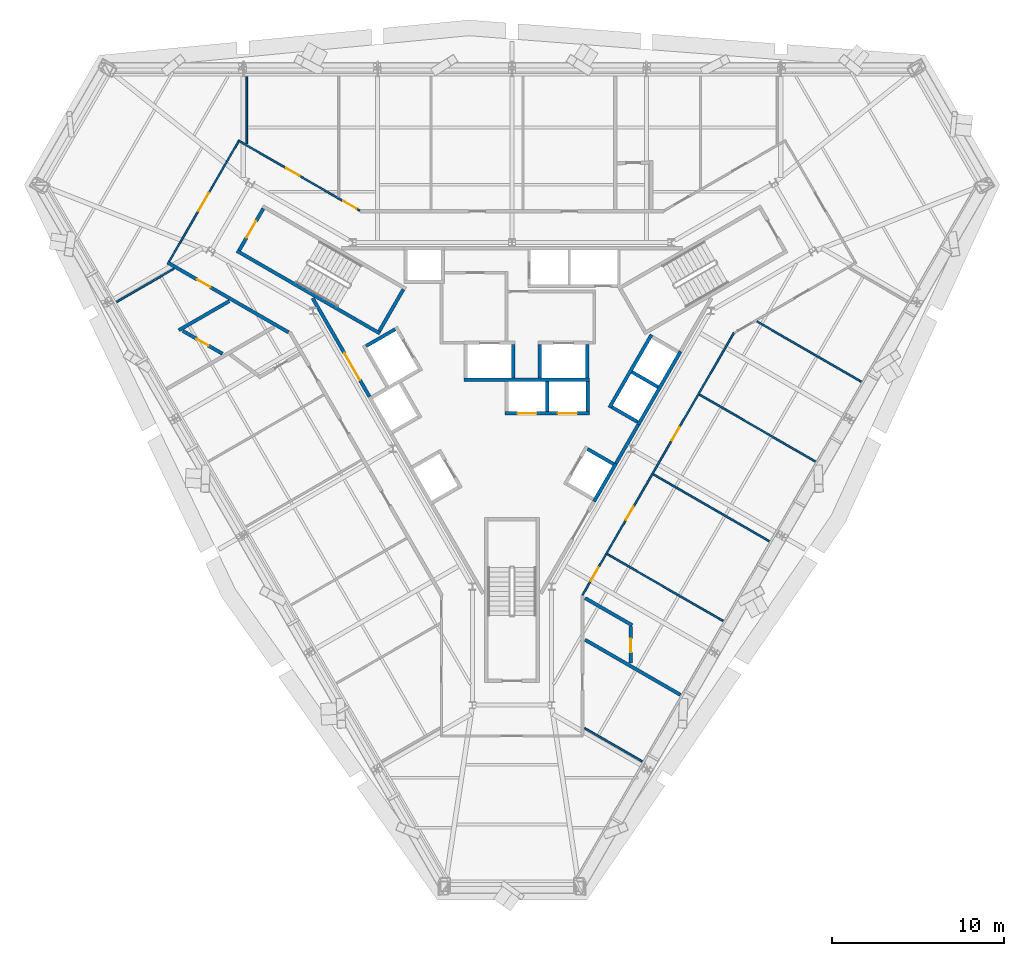
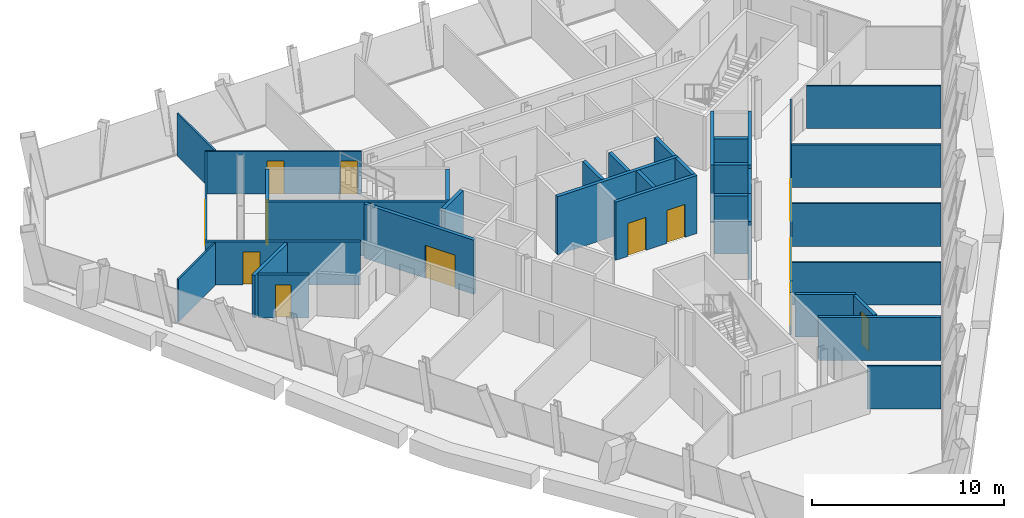
# One storey, part 8 of 12: 35 walls, 13 doors, 13 openings.
"""IFC4 building model written with IfcOpenShell, lengths in metres."""

from ifc_helpers import new_model, si_unit, direction, frame, frame_2d, origin, place, context, subcontext, project, spatial, rectangle, extrude, material, layer, layer_set, type_object, element, fill, save


model = new_model("IFC4")

# Units and contexts
model_context = context("Model", 3, precision=1e-05, world=origin(), true_north=direction((0.0, 1.0)))
body_context = subcontext(model_context, "Body", "Model", "MODEL_VIEW")
ifc_project = project(units=[si_unit("LENGTHUNIT", "METRE"), si_unit("AREAUNIT", "SQUARE_METRE"), si_unit("VOLUMEUNIT", "CUBIC_METRE"), si_unit("PLANEANGLEUNIT", "RADIAN"), si_unit("MASSUNIT", "GRAM", prefix="KILO")], contexts=[model_context])

# Site, building, storey
site_placement = place(None, origin())
site = spatial("IfcSite", under=ifc_project, at=site_placement, CompositionType="ELEMENT")
building_placement = place(site_placement, origin())
building = spatial("IfcBuilding", under=site, at=building_placement, Name="Verrane Prism Tower", CompositionType="ELEMENT")
storey_placement = place(building_placement, frame((0.0, 0.0, 185.800048828125)))
storey = spatial("IfcBuildingStorey", under=building, at=storey_placement, Name="L46", CompositionType="ELEMENT", Elevation=185.800048828125)

# Wall, opening, door
ifc_material_1 = material(Name="Gypsum board partition", Category="other")
ifc_layer_1 = layer(ifc_material_1, 0.199951171875)
ifc_layer_set_1 = layer_set([ifc_layer_1], Name="CW-200 core boundary wall 2 h")
wall_type_1 = type_object("IfcWallType", Name="CW-200 core boundary wall 2 h", PredefinedType="PARTITIONING", material=ifc_layer_set_1)
wall_1_placement = place(storey_placement, frame((-11.590576171875, 4.7548828125, 0.0), z_axis=(0.0, 0.0, 1.0), x_axis=(0.500043977787, -0.866000011708, 0.0)))
wall_1 = element("IfcWall", 1, at=wall_1_placement, inside=storey, type_object=wall_type_1, Name="Core boundary wall CW3-001", PredefinedType="PARTITIONING", context=body_context, shape_type="SweptSolid", body=[
    extrude(rectangle(XDim=6.61669921875, YDim=0.199951171875, at=frame_2d((3.308349609375, 0.0))), origin(), (0.0, 0.0, 1.0), 3.449951171875),
])
opening_1_placement = place(wall_1_placement, frame((3.695068359375, 0.0, 0.0)))
opening_1 = element("IfcOpeningElement", 2, at=opening_1_placement, cuts=wall_1, Name="Opening D44510", PredefinedType="OPENING", context=body_context, shape_type="SweptSolid", body=[
    extrude(rectangle(XDim=1.800048828125, YDim=2.10009765625, at=frame_2d((0.89990234375, 1.050048828125))), frame((0.0, 0.10986328125, 0.0), z_axis=(0.0, -1.0, 0.0), x_axis=(1.0, 0.0, 0.0)), (0.0, 0.0, 1.0), 0.219970703125),
])
ifc_material_2 = material(Name="Timber veneered door leaf", Category="wood")
door_type_1 = type_object("IfcDoorType", Name="DR-1800x2100 FD60 double leaf lift lobby", OperationType="NOTDEFINED", PredefinedType="DOOR", material=ifc_material_2)
door_1_placement = place(opening_1_placement, origin())
door_1 = element("IfcDoor", 3, at=door_1_placement, inside=storey, type_object=door_type_1, Name="Lift lobby door D44510", OperationType="DOUBLE_DOOR_SINGLE_SWING", OverallHeight=2.10009765625, OverallWidth=1.800048828125, PredefinedType="DOOR", context=body_context, shape_type="SweptSolid", body=[
    extrude(rectangle(XDim=1.800048828125, YDim=2.10009765625, at=frame_2d((0.89990234375, 1.050048828125))), frame((0.0, 0.02490234375, 0.0), z_axis=(0.0, -1.0, 0.0), x_axis=(1.0, 0.0, 0.0)), (0.0, 0.0, 1.0), 0.050048828125),
])
fill(opening_1, door_1)

# Wall
wall_2_placement = place(storey_placement, frame((6.0419921875, -4.85498046875, 0.0), z_axis=(0.0, 0.0, 1.0), x_axis=(0.500252727967, 0.865879442048, 0.0)))
element("IfcWall", 4, at=wall_2_placement, inside=storey, type_object=wall_type_1, Name="Core boundary wall CW3-007", PredefinedType="PARTITIONING", context=body_context, shape_type="SweptSolid", body=[
    extrude(rectangle(XDim=2.616943359375, YDim=0.199951171875, at=frame_2d((1.30859375, 0.0))), origin(), (0.0, 0.0, 1.0), 3.449951171875),
])

# Wall, opening, door
ifc_material_3 = material(Name="Concrete C40/50", Category="concrete")
ifc_layer_2 = layer(ifc_material_3, 0.199951171875)
ifc_layer_set_2 = layer_set([ifc_layer_2], Name="CW-200 stair core wall concrete C40/50 3 h")
wall_type_2 = type_object("IfcWallType", Name="CW-200 stair core wall concrete C40/50 3 h", PredefinedType="PARTITIONING", material=ifc_layer_set_2)
wall_3_placement = place(storey_placement, frame((-14.455322265625, 9.96240234375, 0.0), z_axis=(0.0, 0.0, 1.0), x_axis=(-0.500049511043, -0.865996816683, 0.0)))
wall_3 = element("IfcWall", 5, at=wall_3_placement, inside=storey, type_object=wall_type_2, Name="Stair 2 enclosure wall", PredefinedType="PARTITIONING", context=body_context, shape_type="SweptSolid", body=[
    extrude(rectangle(XDim=2.800048828125, YDim=0.199951171875, at=frame_2d((1.39990234375, 0.0))), origin(), (0.0, 0.0, 1.0), 3.449951171875),
])
opening_2_placement = place(wall_3_placement, frame((0.849853515625, 0.0, 0.0)))
opening_2 = element("IfcOpeningElement", 6, at=opening_2_placement, cuts=wall_3, Name="Opening D44501", PredefinedType="OPENING", context=body_context, shape_type="SweptSolid", body=[
    extrude(rectangle(XDim=1.10009765625, YDim=2.10009765625, at=frame_2d((0.550048828125, 1.050048828125))), frame((0.0, 0.10986328125, 0.0), z_axis=(0.0, -1.0, 0.0), x_axis=(1.0, 0.0, 0.0)), (0.0, 0.0, 1.0), 0.219970703125),
])
ifc_material_4 = material(Name="Timber veneered door leaf", Category="wood")
door_type_2 = type_object("IfcDoorType", Name="DR-1100x2100 FD90 single leaf stair", OperationType="NOTDEFINED", PredefinedType="DOOR", material=ifc_material_4)
door_2_placement = place(opening_2_placement, origin())
door_2 = element("IfcDoor", 7, at=door_2_placement, inside=storey, type_object=door_type_2, Name="Stair 2 door", OperationType="SINGLE_SWING_RIGHT", OverallHeight=2.10009765625, OverallWidth=1.10009765625, PredefinedType="DOOR", context=body_context, shape_type="SweptSolid", body=[
    extrude(rectangle(XDim=1.10009765625, YDim=2.10009765625, at=frame_2d((0.550048828125, 1.050048828125))), frame((0.0, 0.02490234375, 0.0), z_axis=(0.0, -1.0, 0.0), x_axis=(1.0, 0.0, 0.0)), (0.0, 0.0, 1.0), 0.050048828125),
])
fill(opening_2, door_2)

# Walls
wall_4_placement = place(storey_placement, frame((-7.67822265625, 2.700927734375, 0.0), z_axis=(0.0, 0.0, 1.0), x_axis=(-0.866019993635, 0.500009370536, 0.0)))
element("IfcWall", 8, at=wall_4_placement, inside=storey, type_object=wall_type_2, Name="Stair 2 enclosure wall", PredefinedType="PARTITIONING", context=body_context, shape_type="SweptSolid", body=[
    extrude(rectangle(XDim=9.599853515625, YDim=0.199951171875, at=frame_2d((4.7998046875, 0.0))), origin(), (0.0, 0.0, 1.0), 3.449951171875),
])
wall_5_placement = place(storey_placement, frame((-6.314697265625, 5.262451171875, 0.0), z_axis=(0.0, 0.0, 1.0), x_axis=(-0.500049511043, -0.865996816683, 0.0)))
element("IfcWall", 9, at=wall_5_placement, inside=storey, type_object=wall_type_2, Name="Stair 2 enclosure wall", PredefinedType="PARTITIONING", context=body_context, shape_type="SweptSolid", body=[
    extrude(rectangle(XDim=2.800048828125, YDim=0.199951171875, at=frame_2d((1.39990234375, 0.0))), origin(), (0.0, 0.0, 1.0), 3.449951171875),
])

# Wall, openings, doors
ifc_material_5 = material(Name="Gypsum board shaft wall assembly", Category="other")
ifc_layer_3 = layer(ifc_material_5, 0.199951171875)
ifc_layer_set_3 = layer_set([ifc_layer_3], Name="HW-200 lift shaft wall 2 h")
wall_type_3 = type_object("IfcWallType", Name="HW-200 lift shaft wall 2 h", PredefinedType="PARTITIONING", material=ifc_layer_set_3)
wall_6_placement = place(storey_placement, frame((-0.405029296875, -1.949951171875, 0.0), z_axis=(0.0, 0.0, 1.0), x_axis=(1.0, 0.0, 0.0)))
wall_6 = element("IfcWall", 10, at=wall_6_placement, inside=storey, type_object=wall_type_3, Name="Lift shaft wall", PredefinedType="PARTITIONING", context=body_context, shape_type="SweptSolid", body=[
    extrude(rectangle(XDim=4.900146484375, YDim=0.199951171875, at=frame_2d((2.4501953125, 0.0))), origin(), (0.0, 0.0, 1.0), 3.699951171875),
])
opening_3_placement = place(wall_6_placement, frame((0.72509765625, 0.0, 0.0)))
opening_3 = element("IfcOpeningElement", 11, at=opening_3_placement, cuts=wall_6, Name="Opening D44503", PredefinedType="OPENING", context=body_context, shape_type="SweptSolid", body=[
    extrude(rectangle(XDim=1.10009765625, YDim=2.10009765625, at=frame_2d((0.550048828125, 1.050048828125))), frame((0.0, 0.10986328125, 0.0), z_axis=(0.0, -1.0, 0.0), x_axis=(1.0, 0.0, 0.0)), (0.0, 0.0, 1.0), 0.219970703125),
])
opening_4_placement = place(wall_6_placement, frame((3.074951171875, 0.0, 0.0)))
opening_4 = element("IfcOpeningElement", 12, at=opening_4_placement, cuts=wall_6, Name="Opening D44504", PredefinedType="OPENING", context=body_context, shape_type="SweptSolid", body=[
    extrude(rectangle(XDim=1.10009765625, YDim=2.10009765625, at=frame_2d((0.550048828125, 1.050048828125))), frame((0.0, 0.10986328125, 0.0), z_axis=(0.0, -1.0, 0.0), x_axis=(1.0, 0.0, 0.0)), (0.0, 0.0, 1.0), 0.219970703125),
])
ifc_material_6 = material(Name="Stainless steel sliding landing door", Category="steel")
door_type_3 = type_object("IfcDoorType", Name="LD-1100x2100 lift landing door FD90 sliding", OperationType="NOTDEFINED", PredefinedType="DOOR", material=ifc_material_6)
door_3_placement = place(opening_3_placement, origin())
door_3 = element("IfcDoor", 13, at=door_3_placement, inside=storey, type_object=door_type_3, Name="Bank B lift 1 landing door", OperationType="SLIDING_TO_LEFT", OverallHeight=2.10009765625, OverallWidth=1.10009765625, PredefinedType="DOOR", context=body_context, shape_type="SweptSolid", body=[
    extrude(rectangle(XDim=1.10009765625, YDim=2.10009765625, at=frame_2d((0.550048828125, 1.050048828125))), frame((0.0, 0.02490234375, 0.0), z_axis=(0.0, -1.0, 0.0), x_axis=(1.0, 0.0, 0.0)), (0.0, 0.0, 1.0), 0.050048828125),
])
fill(opening_3, door_3)
door_4_placement = place(opening_4_placement, origin())
door_4 = element("IfcDoor", 14, at=door_4_placement, inside=storey, type_object=door_type_3, Name="Bank B lift 2 landing door", OperationType="SLIDING_TO_RIGHT", OverallHeight=2.10009765625, OverallWidth=1.10009765625, PredefinedType="DOOR", context=body_context, shape_type="SweptSolid", body=[
    extrude(rectangle(XDim=1.10009765625, YDim=2.10009765625, at=frame_2d((0.550048828125, 1.050048828125))), frame((0.0, 0.02490234375, 0.0), z_axis=(0.0, -1.0, 0.0), x_axis=(1.0, 0.0, 0.0)), (0.0, 0.0, 1.0), 0.050048828125),
])
fill(opening_4, door_4)

# Walls
wall_7_placement = place(storey_placement, frame((-2.784912109375, 0.0, 0.0), z_axis=(0.0, 0.0, 1.0), x_axis=(1.0, 0.0, 0.0)))
element("IfcWall", 15, at=wall_7_placement, inside=storey, type_object=wall_type_3, Name="Lift shaft wall", PredefinedType="PARTITIONING", context=body_context, shape_type="SweptSolid", body=[
    extrude(rectangle(XDim=7.280029296875, YDim=0.199951171875, at=frame_2d((3.64013671875, 0.0))), origin(), (0.0, 0.0, 1.0), 3.699951171875),
])
wall_8_placement = place(storey_placement, frame((-8.48046875, 1.968505859375, 0.0), z_axis=(0.0, 0.0, 1.0), x_axis=(0.866000020948, 0.500043961785, 0.0)))
element("IfcWall", 16, at=wall_8_placement, inside=storey, type_object=wall_type_3, Name="Lift shaft wall", PredefinedType="PARTITIONING", context=body_context, shape_type="SweptSolid", body=[
    extrude(rectangle(XDim=1.949951171875, YDim=0.199951171875, at=frame_2d((0.97509765625, 0.0))), origin(), (0.0, 0.0, 1.0), 3.699951171875),
])
wall_9_placement = place(storey_placement, frame((4.766357421875, -7.064697265625, 0.0), z_axis=(0.0, 0.0, 1.0), x_axis=(0.499948979701, 0.866054858364, 0.0)))
element("IfcWall", 17, at=wall_9_placement, inside=storey, type_object=wall_type_3, Name="Lift shaft wall", PredefinedType="PARTITIONING", context=body_context, shape_type="SweptSolid", body=[
    extrude(rectangle(XDim=2.550048828125, YDim=0.199951171875, at=frame_2d((1.27490234375, 0.0))), origin(), (0.0, 0.0, 1.0), 3.699951171875),
])
wall_10_placement = place(storey_placement, frame((7.351318359375, -2.587158203125, 0.0), z_axis=(0.0, 0.0, 1.0), x_axis=(0.500002801628, 0.866023786258, 0.0)))
element("IfcWall", 18, at=wall_10_placement, inside=storey, type_object=wall_type_3, Name="Lift shaft wall", PredefinedType="PARTITIONING", context=body_context, shape_type="SweptSolid", body=[
    extrude(rectangle(XDim=4.89990234375, YDim=0.199951171875, at=frame_2d((2.449951171875, 0.0))), origin(), (0.0, 0.0, 1.0), 3.699951171875),
])
wall_11_placement = place(storey_placement, frame((5.66259765625, -1.6123046875, 0.0), z_axis=(0.0, 0.0, 1.0), x_axis=(0.49998122708, 0.866036242063, 0.0)))
element("IfcWall", 19, at=wall_11_placement, inside=storey, type_object=wall_type_3, Name="Lift shaft wall", PredefinedType="PARTITIONING", context=body_context, shape_type="SweptSolid", body=[
    extrude(rectangle(XDim=4.900146484375, YDim=0.199951171875, at=frame_2d((2.4501953125, 0.0))), origin(), (0.0, 0.0, 1.0), 3.699951171875),
])
wall_12_placement = place(storey_placement, frame((4.39501953125, -1.85009765625, 0.0), z_axis=(0.0, 0.0, 1.0), x_axis=(0.0, 1.0, 0.0)))
element("IfcWall", 20, at=wall_12_placement, inside=storey, type_object=wall_type_3, Name="Lift shaft wall", PredefinedType="PARTITIONING", context=body_context, shape_type="SweptSolid", body=[
    extrude(rectangle(XDim=1.75, YDim=0.199951171875, at=frame_2d((0.875, 0.0))), origin(), (0.0, 0.0, 1.0), 3.699951171875),
])
wall_13_placement = place(storey_placement, frame((4.375, 0.10009765625, 0.0), z_axis=(0.0, 0.0, 1.0), x_axis=(0.0, 1.0, 0.0)))
element("IfcWall", 21, at=wall_13_placement, inside=storey, type_object=wall_type_3, Name="Lift shaft wall", PredefinedType="PARTITIONING", context=body_context, shape_type="SweptSolid", body=[
    extrude(rectangle(XDim=1.949951171875, YDim=0.199951171875, at=frame_2d((0.97509765625, 0.0))), origin(), (0.0, 0.0, 1.0), 3.699951171875),
])
wall_14_placement = place(storey_placement, frame((2.044921875, -1.85009765625, 0.0), z_axis=(0.0, 0.0, 1.0), x_axis=(0.0, 1.0, 0.0)))
element("IfcWall", 22, at=wall_14_placement, inside=storey, type_object=wall_type_3, Name="Lift shaft wall", PredefinedType="PARTITIONING", context=body_context, shape_type="SweptSolid", body=[
    extrude(rectangle(XDim=1.75, YDim=0.199951171875, at=frame_2d((0.875, 0.0))), origin(), (0.0, 0.0, 1.0), 3.699951171875),
])
for number, where, z_axis, x_axis, name in (
    (23, (1.625, 0.10009765625, 0.0), (0.0, 0.0, 1.0), (0.0, 1.0, 0.0), "Lift shaft wall"),
    (24, (0.06494140625, 0.10009765625, 0.0), (0.0, 0.0, 1.0), (0.0, 1.0, 0.0), "Lift shaft wall"),
):
    element("IfcWall", number, at=place(storey_placement, frame(where, z_axis=z_axis, x_axis=x_axis)), inside=storey, type_object=wall_type_3, Name=name, PredefinedType="PARTITIONING", context=body_context, shape_type="SweptSolid", body=[
        extrude(rectangle(XDim=1.949951171875, YDim=0.199951171875, at=frame_2d((0.97509765625, 0.0))), origin(), (0.0, 0.0, 1.0), 3.699951171875),
    ])
for number, where, z_axis, x_axis, name in (
    (25, (8.48974609375, -0.41552734375, 0.0), (0.0, 0.0, 1.0), (-0.866036909293, 0.499980071345, 0.0), "Lift shaft wall"),
    (26, (7.314697265625, -2.45068359375, 0.0), (0.0, 0.0, 1.0), (-0.866036909293, 0.499980071345, 0.0), "Lift shaft wall"),
):
    element("IfcWall", number, at=place(storey_placement, frame(where, z_axis=z_axis, x_axis=x_axis)), inside=storey, type_object=wall_type_3, Name=name, PredefinedType="PARTITIONING", context=body_context, shape_type="SweptSolid", body=[
        extrude(rectangle(XDim=1.75, YDim=0.199951171875, at=frame_2d((0.875, 0.0))), origin(), (0.0, 0.0, 1.0), 3.699951171875),
    ])
wall_15_placement = place(storey_placement, frame((5.904541015625, -4.892822265625, 0.0), z_axis=(0.0, 0.0, 1.0), x_axis=(-0.866002029911, 0.500040482552, 0.0)))
element("IfcWall", 27, at=wall_15_placement, inside=storey, type_object=wall_type_3, Name="Lift shaft wall", PredefinedType="PARTITIONING", context=body_context, shape_type="SweptSolid", body=[
    extrude(rectangle(XDim=1.749755859375, YDim=0.199951171875, at=frame_2d((0.875, 0.0))), origin(), (0.0, 0.0, 1.0), 3.699951171875),
])
ifc_material_7 = material(Name="Gypsum board partition", Category="other")
ifc_layer_4 = layer(ifc_material_7, 0.10009765625)
ifc_layer_set_4 = layer_set([ifc_layer_4], Name="PW-100 room partition")
wall_type_4 = type_object("IfcWallType", Name="PW-100 room partition", PredefinedType="PARTITIONING", material=ifc_layer_set_4)
wall_16_placement = place(storey_placement, frame((-22.982666015625, 4.5380859375, 0.0), z_axis=(0.0, 0.0, 1.0), x_axis=(0.865988254995, 0.500064338071, 0.0)))
element("IfcWall", 28, at=wall_16_placement, inside=storey, type_object=wall_type_4, Name="Room partition 001", PredefinedType="PARTITIONING", context=body_context, shape_type="SweptSolid", body=[
    extrude(rectangle(XDim=3.85302734375, YDim=0.10009765625, at=frame_2d((1.926513671875, 0.0))), origin(), (0.0, 0.0, 1.0), 2.712890625),
])

# Wall, opening, door
wall_17_placement = place(storey_placement, frame((-19.929931640625, 6.8876953125, 0.0), z_axis=(0.0, 0.0, 1.0), x_axis=(0.500413056211, 0.865786794294, 0.0)))
wall_17 = element("IfcWall", 29, at=wall_17_placement, inside=storey, type_object=wall_type_4, Name="Room partition 003", PredefinedType="PARTITIONING", context=body_context, shape_type="SweptSolid", body=[
    extrude(rectangle(XDim=8.047119140625, YDim=0.10009765625, at=frame_2d((4.0234375, 0.0))), origin(), (0.0, 0.0, 1.0), 2.712890625),
])
opening_5_placement = place(wall_17_placement, frame((3.39990234375, 0.0, 0.0)))
opening_5 = element("IfcOpeningElement", 30, at=opening_5_placement, cuts=wall_17, Name="Opening D44016", PredefinedType="OPENING", context=body_context, shape_type="SweptSolid", body=[
    extrude(rectangle(XDim=1.199951171875, YDim=2.10009765625, at=frame_2d((0.60009765625, 1.050048828125))), frame((0.0, 0.06005859375, 0.0), z_axis=(0.0, -1.0, 0.0), x_axis=(1.0, 0.0, 0.0)), (0.0, 0.0, 1.0), 0.1201171875),
])
ifc_material_8 = material(Name="Timber veneered door leaf", Category="wood")
door_type_4 = type_object("IfcDoorType", Name="DR-1200x2100 single leaf unit", OperationType="NOTDEFINED", PredefinedType="DOOR", material=ifc_material_8)
door_5_placement = place(opening_5_placement, origin())
door_5 = element("IfcDoor", 31, at=door_5_placement, inside=storey, type_object=door_type_4, Name="Living And Dining Room door", OperationType="SINGLE_SWING_RIGHT", OverallHeight=2.10009765625, OverallWidth=1.199951171875, PredefinedType="DOOR", context=body_context, shape_type="SweptSolid", body=[
    extrude(rectangle(XDim=1.199951171875, YDim=2.10009765625, at=frame_2d((0.60009765625, 1.050048828125))), frame((0.0, 0.02490234375, 0.0), z_axis=(0.0, -1.0, 0.0), x_axis=(1.0, 0.0, 0.0)), (0.0, 0.0, 1.0), 0.050048828125),
])
fill(opening_5, door_5)

# Wall, openings, doors
wall_18_placement = place(storey_placement, frame((-15.92138671875, 13.923095703125, 0.0), z_axis=(0.0, 0.0, 1.0), x_axis=(0.866088973199, -0.499889878377, 0.0)))
wall_18 = element("IfcWall", 32, at=wall_18_placement, inside=storey, type_object=wall_type_4, Name="Room partition 009", PredefinedType="PARTITIONING", context=body_context, shape_type="SweptSolid", body=[
    extrude(rectangle(XDim=8.162841796875, YDim=0.10009765625, at=frame_2d((4.08154296875, 0.0))), origin(), (0.0, 0.0, 1.0), 2.712890625),
])
opening_6_placement = place(wall_18_placement, frame((7.06005859375, 0.0, 0.0)))
opening_6 = element("IfcOpeningElement", 33, at=opening_6_placement, cuts=wall_18, Name="Opening D44014", PredefinedType="OPENING", context=body_context, shape_type="SweptSolid", body=[
    extrude(rectangle(XDim=0.89990234375, YDim=2.10009765625, at=frame_2d((0.449951171875, 1.050048828125))), frame((0.0, 0.06005859375, 0.0), z_axis=(0.0, -1.0, 0.0), x_axis=(1.0, 0.0, 0.0)), (0.0, 0.0, 1.0), 0.1201171875),
])
opening_7_placement = place(wall_18_placement, frame((3.22607421875, 0.0, 0.0)))
opening_7 = element("IfcOpeningElement", 34, at=opening_7_placement, cuts=wall_18, Name="Opening D44015", PredefinedType="OPENING", context=body_context, shape_type="SweptSolid", body=[
    extrude(rectangle(XDim=0.89990234375, YDim=2.10009765625, at=frame_2d((0.449951171875, 1.050048828125))), frame((0.0, 0.06005859375, 0.0), z_axis=(0.0, -1.0, 0.0), x_axis=(1.0, 0.0, 0.0)), (0.0, 0.0, 1.0), 0.1201171875),
])
ifc_material_9 = material(Name="Timber veneered door leaf", Category="wood")
door_type_5 = type_object("IfcDoorType", Name="DR-900x2100 single leaf unit", OperationType="NOTDEFINED", PredefinedType="DOOR", material=ifc_material_9)
door_6_placement = place(opening_6_placement, origin())
door_6 = element("IfcDoor", 35, at=door_6_placement, inside=storey, type_object=door_type_5, Name="Study door", OperationType="SINGLE_SWING_RIGHT", OverallHeight=2.10009765625, OverallWidth=0.89990234375, PredefinedType="DOOR", context=body_context, shape_type="SweptSolid", body=[
    extrude(rectangle(XDim=0.89990234375, YDim=2.10009765625, at=frame_2d((0.449951171875, 1.050048828125))), frame((0.0, 0.02490234375, 0.0), z_axis=(0.0, -1.0, 0.0), x_axis=(1.0, 0.0, 0.0)), (0.0, 0.0, 1.0), 0.050048828125),
])
fill(opening_6, door_6)
door_7_placement = place(opening_7_placement, origin())
door_7 = element("IfcDoor", 36, at=door_7_placement, inside=storey, type_object=door_type_5, Name="Study door", OperationType="SINGLE_SWING_LEFT", OverallHeight=2.10009765625, OverallWidth=0.89990234375, PredefinedType="DOOR", context=body_context, shape_type="SweptSolid", body=[
    extrude(rectangle(XDim=0.89990234375, YDim=2.10009765625, at=frame_2d((0.449951171875, 1.050048828125))), frame((0.0, 0.02490234375, 0.0), z_axis=(0.0, -1.0, 0.0), x_axis=(1.0, 0.0, 0.0)), (0.0, 0.0, 1.0), 0.050048828125),
])
fill(opening_7, door_7)

# Walls
wall_19_placement = place(storey_placement, frame((-15.422119140625, 13.7216796875, 0.0), z_axis=(0.0, 0.0, 1.0), x_axis=(0.0, 1.0, 0.0)))
element("IfcWall", 37, at=wall_19_placement, inside=storey, type_object=wall_type_4, Name="Room partition 010", PredefinedType="PARTITIONING", context=body_context, shape_type="SweptSolid", body=[
    extrude(rectangle(XDim=3.913330078125, YDim=0.10009765625, at=frame_2d((1.95654296875, 0.0))), origin(), (0.0, 0.0, 1.0), 2.712890625),
])
wall_20_placement = place(storey_placement, frame((4.22509765625, -20.2470703125, 0.0), z_axis=(0.0, 0.0, 1.0), x_axis=(0.866070569679, -0.499921762215, 0.0)))
element("IfcWall", 38, at=wall_20_placement, inside=storey, type_object=wall_type_4, Name="Room partition 024", PredefinedType="PARTITIONING", context=body_context, shape_type="SweptSolid", body=[
    extrude(rectangle(XDim=3.8525390625, YDim=0.10009765625, at=frame_2d((1.92626953125, 0.0))), origin(), (0.0, 0.0, 1.0), 2.712890625),
])

# Wall, openings, doors
wall_21_placement = place(storey_placement, frame((12.903076171875, 2.745361328125, 0.0), z_axis=(0.0, 0.0, 1.0), x_axis=(-0.499997333799, -0.866026943111, 0.0)))
wall_21 = element("IfcWall", 39, at=wall_21_placement, inside=storey, type_object=wall_type_4, Name="Room partition 027", PredefinedType="PARTITIONING", context=body_context, shape_type="SweptSolid", body=[
    extrude(rectangle(XDim=17.60595703125, YDim=0.10009765625, at=frame_2d((8.802978515625, 0.0))), origin(), (0.0, 0.0, 1.0), 2.712890625),
])
opening_8_placement = place(wall_21_placement, frame((15.756103515625, 0.0, 0.0)))
opening_8 = element("IfcOpeningElement", 40, at=opening_8_placement, cuts=wall_21, Name="Opening D44002", PredefinedType="OPENING", context=body_context, shape_type="SweptSolid", body=[
    extrude(rectangle(XDim=0.89990234375, YDim=2.10009765625, at=frame_2d((0.449951171875, 1.050048828125))), frame((0.0, 0.06005859375, 0.0), z_axis=(0.0, -1.0, 0.0), x_axis=(1.0, 0.0, 0.0)), (0.0, 0.0, 1.0), 0.1201171875),
])
opening_9_placement = place(wall_21_placement, frame((11.678955078125, 0.0, 0.0)))
opening_9 = element("IfcOpeningElement", 41, at=opening_9_placement, cuts=wall_21, Name="Opening D44004", PredefinedType="OPENING", context=body_context, shape_type="SweptSolid", body=[
    extrude(rectangle(XDim=0.89990234375, YDim=2.10009765625, at=frame_2d((0.449951171875, 1.050048828125))), frame((0.0, 0.06005859375, 0.0), z_axis=(0.0, -1.0, 0.0), x_axis=(1.0, 0.0, 0.0)), (0.0, 0.0, 1.0), 0.1201171875),
])
opening_10_placement = place(wall_21_placement, frame((6.323974609375, 0.0, 0.0)))
opening_10 = element("IfcOpeningElement", 42, at=opening_10_placement, cuts=wall_21, Name="Opening D44005", PredefinedType="OPENING", context=body_context, shape_type="SweptSolid", body=[
    extrude(rectangle(XDim=0.89990234375, YDim=2.10009765625, at=frame_2d((0.449951171875, 1.050048828125))), frame((0.0, 0.06005859375, 0.0), z_axis=(0.0, -1.0, 0.0), x_axis=(1.0, 0.0, 0.0)), (0.0, 0.0, 1.0), 0.1201171875),
])
ifc_material_10 = material(Name="Timber veneered door leaf", Category="wood")
door_type_6 = type_object("IfcDoorType", Name="DR-900x2100 single leaf inner", OperationType="NOTDEFINED", PredefinedType="DOOR", material=ifc_material_10)
door_8_placement = place(opening_8_placement, origin())
door_8 = element("IfcDoor", 43, at=door_8_placement, inside=storey, type_object=door_type_6, Name="Bedroom door", OperationType="SINGLE_SWING_LEFT", OverallHeight=2.10009765625, OverallWidth=0.89990234375, PredefinedType="DOOR", context=body_context, shape_type="SweptSolid", body=[
    extrude(rectangle(XDim=0.89990234375, YDim=2.10009765625, at=frame_2d((0.449951171875, 1.050048828125))), frame((0.0, 0.02490234375, 0.0), z_axis=(0.0, -1.0, 0.0), x_axis=(1.0, 0.0, 0.0)), (0.0, 0.0, 1.0), 0.050048828125),
])
fill(opening_8, door_8)
door_9_placement = place(opening_9_placement, origin())
door_9 = element("IfcDoor", 44, at=door_9_placement, inside=storey, type_object=door_type_5, Name="Study door", OperationType="SINGLE_SWING_LEFT", OverallHeight=2.10009765625, OverallWidth=0.89990234375, PredefinedType="DOOR", context=body_context, shape_type="SweptSolid", body=[
    extrude(rectangle(XDim=0.89990234375, YDim=2.10009765625, at=frame_2d((0.449951171875, 1.050048828125))), frame((0.0, 0.02490234375, 0.0), z_axis=(0.0, -1.0, 0.0), x_axis=(1.0, 0.0, 0.0)), (0.0, 0.0, 1.0), 0.050048828125),
])
fill(opening_9, door_9)
door_10_placement = place(opening_10_placement, origin())
door_10 = element("IfcDoor", 45, at=door_10_placement, inside=storey, type_object=door_type_5, Name="Study door", OperationType="SINGLE_SWING_RIGHT", OverallHeight=2.10009765625, OverallWidth=0.89990234375, PredefinedType="DOOR", context=body_context, shape_type="SweptSolid", body=[
    extrude(rectangle(XDim=0.89990234375, YDim=2.10009765625, at=frame_2d((0.449951171875, 1.050048828125))), frame((0.0, 0.02490234375, 0.0), z_axis=(0.0, -1.0, 0.0), x_axis=(1.0, 0.0, 0.0)), (0.0, 0.0, 1.0), 0.050048828125),
])
fill(opening_10, door_10)

# Walls
wall_22_placement = place(storey_placement, frame((5.53564453125, -10.12451171875, 0.0), z_axis=(0.0, 0.0, 1.0), x_axis=(0.866044474677, -0.49996696679, 0.0)))
element("IfcWall", 46, at=wall_22_placement, inside=storey, type_object=wall_type_4, Name="Room partition 028", PredefinedType="PARTITIONING", context=body_context, shape_type="SweptSolid", body=[
    extrude(rectangle(XDim=7.77880859375, YDim=0.10009765625, at=frame_2d((3.889404296875, 0.0))), origin(), (0.0, 0.0, 1.0), 2.712890625),
])
wall_23_placement = place(storey_placement, frame((8.213623046875, -5.486572265625, 0.0), z_axis=(0.0, 0.0, 1.0), x_axis=(0.866007344409, -0.500031278452, 0.0)))
element("IfcWall", 47, at=wall_23_placement, inside=storey, type_object=wall_type_4, Name="Room partition 033", PredefinedType="PARTITIONING", context=body_context, shape_type="SweptSolid", body=[
    extrude(rectangle(XDim=7.7783203125, YDim=0.10009765625, at=frame_2d((3.88916015625, 0.0))), origin(), (0.0, 0.0, 1.0), 2.712890625),
])
wall_24_placement = place(storey_placement, frame((10.88720703125, -0.845947265625, 0.0), z_axis=(0.0, 0.0, 1.0), x_axis=(0.866004841997, -0.500035612369, 0.0)))
element("IfcWall", 48, at=wall_24_placement, inside=storey, type_object=wall_type_4, Name="Room partition 035", PredefinedType="PARTITIONING", context=body_context, shape_type="SweptSolid", body=[
    extrude(rectangle(XDim=7.783203125, YDim=0.10009765625, at=frame_2d((3.8916015625, 0.0))), origin(), (0.0, 0.0, 1.0), 2.712890625),
])
wall_25_placement = place(storey_placement, frame((14.239990234375, 3.401611328125, 0.0), z_axis=(0.0, 0.0, 1.0), x_axis=(0.866018390239, -0.500012147621, 0.0)))
element("IfcWall", 49, at=wall_25_placement, inside=storey, type_object=wall_type_4, Name="Room partition 038", PredefinedType="PARTITIONING", context=body_context, shape_type="SweptSolid", body=[
    extrude(rectangle(XDim=7.003173828125, YDim=0.10009765625, at=frame_2d((3.50146484375, 0.0))), origin(), (0.0, 0.0, 1.0), 2.712890625),
])

# Wall, opening, door
ifc_material_11 = material(Name="Gypsum board partition", Category="other")
ifc_layer_5 = layer(ifc_material_11, 0.199951171875)
ifc_layer_set_5 = layer_set([ifc_layer_5], Name="PW-200 plumbing wall")
wall_type_5 = type_object("IfcWallType", Name="PW-200 plumbing wall", PredefinedType="PARTITIONING", material=ifc_layer_set_5)
wall_26_placement = place(storey_placement, frame((-12.994873046875, 2.76953125, 0.0), z_axis=(0.0, 0.0, 1.0), x_axis=(-0.866100425926, 0.499870035319, 0.0)))
wall_26 = element("IfcWall", 50, at=wall_26_placement, inside=storey, type_object=wall_type_5, Name="Plumbing wall 004", PredefinedType="PARTITIONING", context=body_context, shape_type="SweptSolid", body=[
    extrude(rectangle(XDim=8.114990234375, YDim=0.199951171875, at=frame_2d((4.0576171875, 0.0))), origin(), (0.0, 0.0, 1.0), 2.712890625),
])
opening_11_placement = place(wall_26_placement, frame((5.235107421875, 0.0, 0.0)))
opening_11 = element("IfcOpeningElement", 51, at=opening_11_placement, cuts=wall_26, Name="Opening D44017", PredefinedType="OPENING", context=body_context, shape_type="SweptSolid", body=[
    extrude(rectangle(XDim=0.89990234375, YDim=2.10009765625, at=frame_2d((0.449951171875, 1.050048828125))), frame((0.0, 0.10986328125, 0.0), z_axis=(0.0, -1.0, 0.0), x_axis=(1.0, 0.0, 0.0)), (0.0, 0.0, 1.0), 0.219970703125),
])
door_11_placement = place(opening_11_placement, origin())
door_11 = element("IfcDoor", 52, at=door_11_placement, inside=storey, type_object=door_type_6, Name="Master Bedroom door", OperationType="SINGLE_SWING_RIGHT", OverallHeight=2.10009765625, OverallWidth=0.89990234375, PredefinedType="DOOR", context=body_context, shape_type="SweptSolid", body=[
    extrude(rectangle(XDim=0.89990234375, YDim=2.10009765625, at=frame_2d((0.449951171875, 1.050048828125))), frame((0.0, 0.02490234375, 0.0), z_axis=(0.0, -1.0, 0.0), x_axis=(1.0, 0.0, 0.0)), (0.0, 0.0, 1.0), 0.050048828125),
])
fill(opening_11, door_11)

wall_27_placement = place(storey_placement, frame((-19.1357421875, 2.85107421875, 0.0), z_axis=(0.0, 0.0, 1.0), x_axis=(0.866008217664, -0.500029766052, 0.0)))
wall_27 = element("IfcWall", 53, at=wall_27_placement, inside=storey, type_object=wall_type_5, Name="Plumbing wall 005", PredefinedType="PARTITIONING", context=body_context, shape_type="SweptSolid", body=[
    extrude(rectangle(XDim=2.658935546875, YDim=0.199951171875, at=frame_2d((1.32958984375, 0.0))), origin(), (0.0, 0.0, 1.0), 2.712890625),
])
opening_12_placement = place(wall_27_placement, frame((0.929931640625, 0.0, 0.0)))
opening_12 = element("IfcOpeningElement", 54, at=opening_12_placement, cuts=wall_27, Name="Opening D44018", PredefinedType="OPENING", context=body_context, shape_type="SweptSolid", body=[
    extrude(rectangle(XDim=0.800048828125, YDim=2.10009765625, at=frame_2d((0.39990234375, 1.050048828125))), frame((0.0, 0.10986328125, 0.0), z_axis=(0.0, -1.0, 0.0), x_axis=(1.0, 0.0, 0.0)), (0.0, 0.0, 1.0), 0.219970703125),
])
ifc_material_12 = material(Name="Timber veneered door leaf", Category="wood")
door_type_7 = type_object("IfcDoorType", Name="DR-800x2100 single leaf bath", OperationType="NOTDEFINED", PredefinedType="DOOR", material=ifc_material_12)
door_12_placement = place(opening_12_placement, origin())
door_12 = element("IfcDoor", 55, at=door_12_placement, inside=storey, type_object=door_type_7, Name="Master Bathroom door", OperationType="SINGLE_SWING_RIGHT", OverallHeight=2.10009765625, OverallWidth=0.800048828125, PredefinedType="DOOR", context=body_context, shape_type="SweptSolid", body=[
    extrude(rectangle(XDim=0.800048828125, YDim=2.10009765625, at=frame_2d((0.39990234375, 1.050048828125))), frame((0.0, 0.02490234375, 0.0), z_axis=(0.0, -1.0, 0.0), x_axis=(1.0, 0.0, 0.0)), (0.0, 0.0, 1.0), 0.050048828125),
])
fill(opening_12, door_12)

# Walls
wall_28_placement = place(storey_placement, frame((-19.36962890625, 2.885986328125, 0.0), z_axis=(0.0, 0.0, 1.0), x_axis=(0.866036909293, 0.499980071345, 0.0)))
element("IfcWall", 56, at=wall_28_placement, inside=storey, type_object=wall_type_5, Name="Plumbing wall 006", PredefinedType="PARTITIONING", context=body_context, shape_type="SweptSolid", body=[
    extrude(rectangle(XDim=3.390869140625, YDim=0.199951171875, at=frame_2d((1.6953125, 0.0))), origin(), (0.0, 0.0, 1.0), 2.712890625),
])
wall_29_placement = place(storey_placement, frame((4.25, -15.108642578125, 0.0), z_axis=(0.0, 0.0, 1.0), x_axis=(0.866077604108, -0.499909575486, 0.0)))
element("IfcWall", 57, at=wall_29_placement, inside=storey, type_object=wall_type_5, Name="Plumbing wall 025", PredefinedType="PARTITIONING", context=body_context, shape_type="SweptSolid", body=[
    extrude(rectangle(XDim=6.400146484375, YDim=0.199951171875, at=frame_2d((3.2001953125, 0.0))), origin(), (0.0, 0.0, 1.0), 2.712890625),
])
wall_30_placement = place(storey_placement, frame((4.25, -12.68359375, 0.0), z_axis=(0.0, 0.0, 1.0), x_axis=(0.866109679077, -0.499854002494, 0.0)))
element("IfcWall", 58, at=wall_30_placement, inside=storey, type_object=wall_type_5, Name="Plumbing wall 026", PredefinedType="PARTITIONING", context=body_context, shape_type="SweptSolid", body=[
    extrude(rectangle(XDim=3.15966796875, YDim=0.199951171875, at=frame_2d((1.579833984375, 0.0))), origin(), (0.0, 0.0, 1.0), 2.712890625),
])

# Wall, opening, door
wall_31_placement = place(storey_placement, frame((6.89990234375, -16.46484375, 0.0), z_axis=(0.0, 0.0, 1.0), x_axis=(0.0, 1.0, 0.0)))
wall_31 = element("IfcWall", 59, at=wall_31_placement, inside=storey, type_object=wall_type_5, Name="Plumbing wall 031", PredefinedType="PARTITIONING", context=body_context, shape_type="SweptSolid", body=[
    extrude(rectangle(XDim=2.116943359375, YDim=0.199951171875, at=frame_2d((1.05859375, 0.0))), origin(), (0.0, 0.0, 1.0), 2.712890625),
])
opening_13_placement = place(wall_31_placement, frame((0.626708984375, 0.0, 0.0)))
opening_13 = element("IfcOpeningElement", 60, at=opening_13_placement, cuts=wall_31, Name="Opening D44003", PredefinedType="OPENING", context=body_context, shape_type="SweptSolid", body=[
    extrude(rectangle(XDim=0.800048828125, YDim=2.10009765625, at=frame_2d((0.39990234375, 1.050048828125))), frame((0.0, 0.10986328125, 0.0), z_axis=(0.0, -1.0, 0.0), x_axis=(1.0, 0.0, 0.0)), (0.0, 0.0, 1.0), 0.219970703125),
])
door_13_placement = place(opening_13_placement, origin())
door_13 = element("IfcDoor", 61, at=door_13_placement, inside=storey, type_object=door_type_7, Name="Bathroom door", OperationType="SINGLE_SWING_LEFT", OverallHeight=2.10009765625, OverallWidth=0.800048828125, PredefinedType="DOOR", context=body_context, shape_type="SweptSolid", body=[
    extrude(rectangle(XDim=0.800048828125, YDim=2.10009765625, at=frame_2d((0.39990234375, 1.050048828125))), frame((0.0, 0.02490234375, 0.0), z_axis=(0.0, -1.0, 0.0), x_axis=(1.0, 0.0, 0.0)), (0.0, 0.0, 1.0), 0.050048828125),
])
fill(opening_13, door_13)

save(model, "model.ifc")
